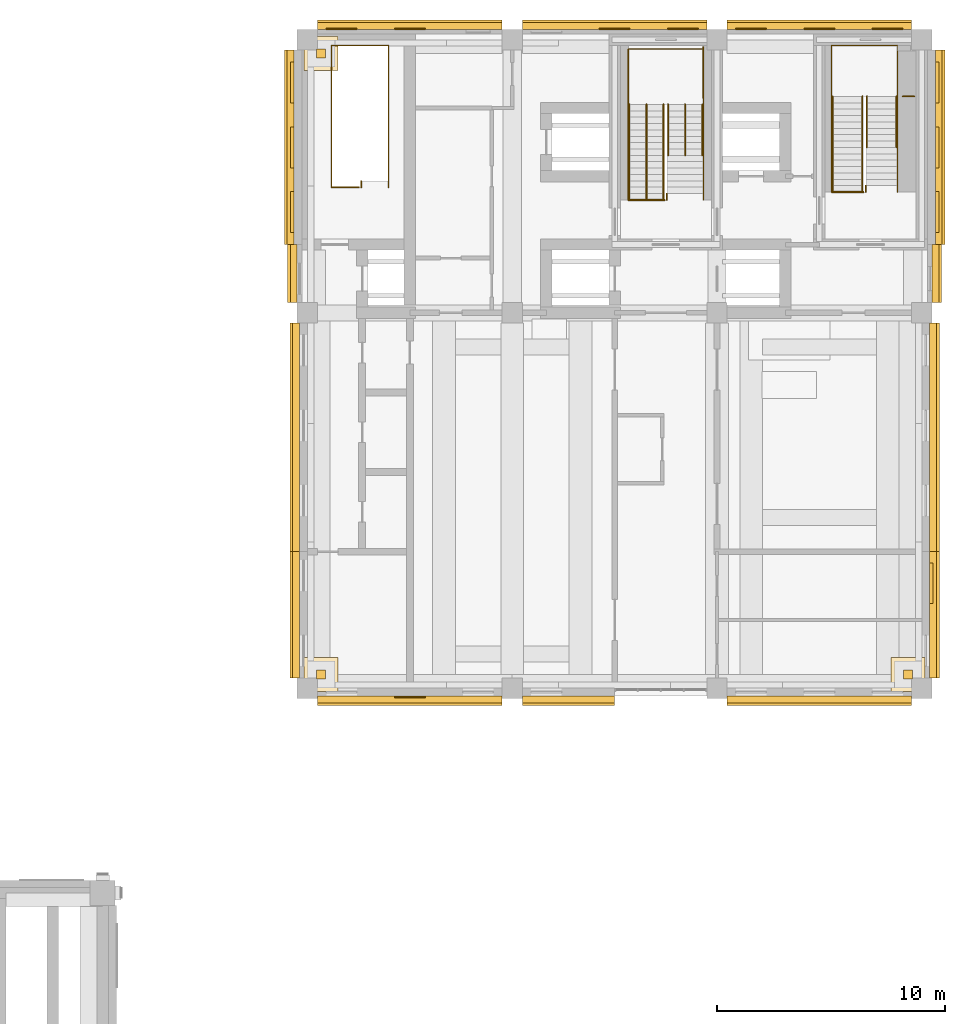
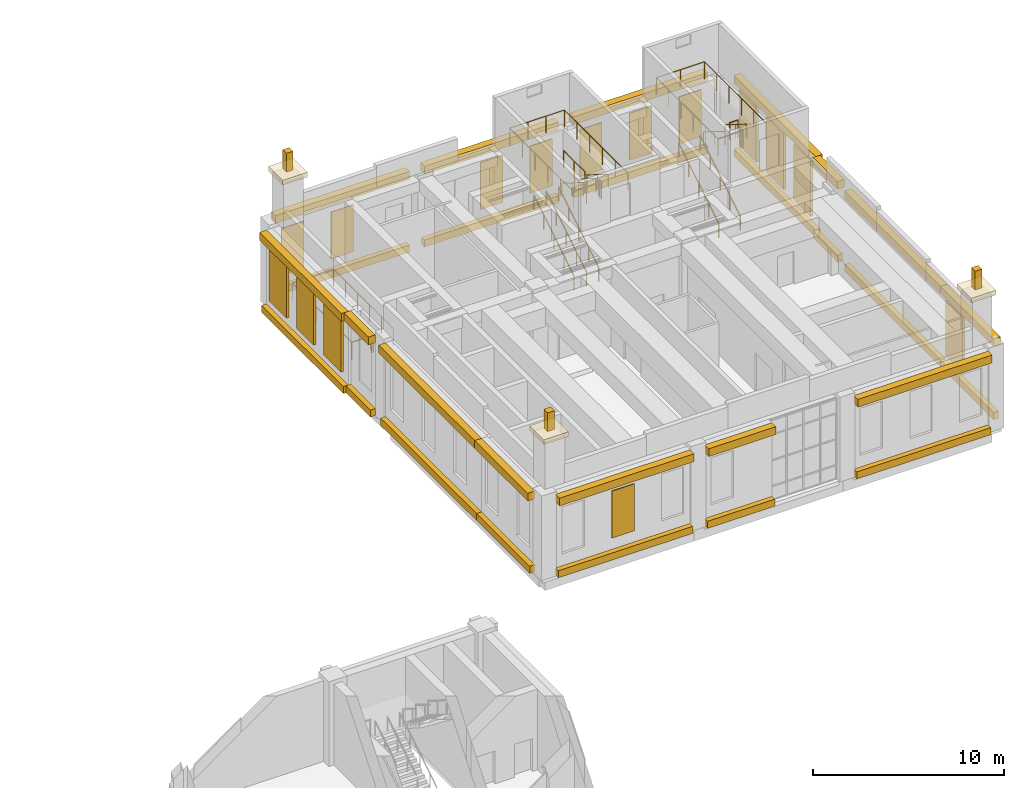
# One storey, part 21 of 22: 49 coverings, 21 railings.
"""IFC4 building model written with IfcOpenShell, lengths in metres."""

from ifc_helpers import new_model, si_unit, direction, frame, origin, origin_2d, place, context, subcontext, project, spatial, rectangle, circle, extrude, material, layer, layer_set, type_object, element, save


model = new_model("IFC4")

# Units and contexts
model_context = context("Model", 3, precision=1e-05, world=origin(), true_north=direction((0.0, 1.0)))
body_context = subcontext(model_context, "Body", "Model", "MODEL_VIEW")
ifc_project = project(units=[si_unit("LENGTHUNIT", "METRE"), si_unit("AREAUNIT", "SQUARE_METRE"), si_unit("VOLUMEUNIT", "CUBIC_METRE"), si_unit("PLANEANGLEUNIT", "RADIAN"), si_unit("MASSUNIT", "GRAM", prefix="KILO")], contexts=[model_context])

# Site, building, storey
site_placement = place(None, origin())
site = spatial("IfcSite", under=ifc_project, at=site_placement, CompositionType="ELEMENT")
building_placement = place(site_placement, origin())
building = spatial("IfcBuilding", under=site, at=building_placement, Name="Aurelan Courthouse", CompositionType="ELEMENT")
storey_placement = place(building_placement, frame((0.0, 0.0, 39.0)))
storey = spatial("IfcBuildingStorey", under=building, at=storey_placement, Name="L07", CompositionType="ELEMENT", Elevation=39.0)

# Coverings
ifc_material_1 = material(Name="Bronze sheet cladding")
ifc_layer_1 = layer(ifc_material_1, 0.06005859375)
ifc_layer_set_1 = layer_set([ifc_layer_1], Name="Bronze sheet cladding")
covering_type_1 = type_object("IfcCoveringType", Name="Courtroom Block blind bay 1350 x 3000", PredefinedType="CLADDING", material=ifc_layer_set_1)
for number, where, z_axis, x_axis, name in (
    (1, (40.5, 37.1201171875, 1.199951171875), (0.0, 0.0, 1.0), (1.0, 0.0, 0.0), "Blind bay BB-V2-L07-001"),
    (2, (37.5, 66.47998046875, 1.199951171875), (0.0, 0.0, 1.0), (1.0, 0.0, 0.0), "Blind bay BB-V2-L07-002"),
    (3, (40.5, 66.47998046875, 1.199951171875), (0.0, 0.0, 1.0), (1.0, 0.0, 0.0), "Blind bay BB-V2-L07-003"),
    (4, (49.5, 66.47998046875, 1.199951171875), (0.0, 0.0, 1.0), (1.0, 0.0, 0.0), "Blind bay BB-V2-L07-004"),
    (5, (52.5, 66.47998046875, 1.199951171875), (0.0, 0.0, 1.0), (1.0, 0.0, 0.0), "Blind bay BB-V2-L07-005"),
    (6, (55.5, 66.47998046875, 1.199951171875), (0.0, 0.0, 1.0), (1.0, 0.0, 0.0), "Blind bay BB-V2-L07-006"),
    (7, (58.5, 66.47998046875, 1.199951171875), (0.0, 0.0, 1.0), (1.0, 0.0, 0.0), "Blind bay BB-V2-L07-007"),
    (8, (61.5, 66.47998046875, 1.199951171875), (0.0, 0.0, 1.0), (1.0, 0.0, 0.0), "Blind bay BB-V2-L07-008"),
):
    element("IfcCovering", number, at=place(storey_placement, frame(where, z_axis=z_axis, x_axis=x_axis)), inside=storey, type_object=covering_type_1, Name=name, PredefinedType="CLADDING", context=body_context, shape_type="SweptSolid", body=[
        extrude(rectangle(XDim=1.35009765625, YDim=0.06005859375, at=origin_2d()), origin(), (0.0, 0.0, 1.0), 3.0),
    ])
ifc_material_2 = material(Name="Limestone cladding", Category="masonry")
covering_type_2 = type_object("IfcCoveringType", Name="Courtroom Block cornice 500 x 420", PredefinedType="CLADDING", material=ifc_material_2)
covering_1_placement = place(storey_placement, frame((40.5, 36.93994140625, 4.64990234375), z_axis=(0.0, 0.0, 1.0), x_axis=(1.0, 0.0, 0.0)))
element("IfcCovering", 9, at=covering_1_placement, inside=storey, type_object=covering_type_2, Name="Cornice CRN-V2-001", PredefinedType="CLADDING", context=body_context, shape_type="SweptSolid", body=[
    extrude(rectangle(XDim=8.10009765625, YDim=0.419921875, at=origin_2d()), origin(), (0.0, 0.0, 1.0), 0.5),
])
covering_2_placement = place(storey_placement, frame((47.47509765625, 36.93994140625, 4.64990234375), z_axis=(0.0, 0.0, 1.0), x_axis=(1.0, 0.0, 0.0)))
element("IfcCovering", 10, at=covering_2_placement, inside=storey, type_object=covering_type_2, Name="Cornice CRN-V2-002", PredefinedType="CLADDING", context=body_context, shape_type="SweptSolid", body=[
    extrude(rectangle(XDim=4.050048828125, YDim=0.419921875, at=origin_2d()), origin(), (0.0, 0.0, 1.0), 0.5),
])
covering_3_placement = place(storey_placement, frame((58.5, 36.93994140625, 4.64990234375), z_axis=(0.0, 0.0, 1.0), x_axis=(1.0, 0.0, 0.0)))
element("IfcCovering", 11, at=covering_3_placement, inside=storey, type_object=covering_type_2, Name="Cornice CRN-V2-003", PredefinedType="CLADDING", context=body_context, shape_type="SweptSolid", body=[
    extrude(rectangle(XDim=8.10009765625, YDim=0.419921875, at=origin_2d()), origin(), (0.0, 0.0, 1.0), 0.5),
])
for number, where, z_axis, x_axis, name in (
    (12, (35.43994140625, 40.72509765625, 4.64990234375), (0.0, 0.0, 1.0), (1.0, 0.0, 0.0), "Cornice CRN-V2-004"),
    (13, (63.56005859375, 40.72509765625, 4.64990234375), (0.0, 0.0, 1.0), (1.0, 0.0, 0.0), "Cornice CRN-V2-005"),
):
    element("IfcCovering", number, at=place(storey_placement, frame(where, z_axis=z_axis, x_axis=x_axis)), inside=storey, type_object=covering_type_2, Name=name, PredefinedType="CLADDING", context=body_context, shape_type="SweptSolid", body=[
        extrude(rectangle(XDim=0.419921875, YDim=5.550048828125, at=origin_2d()), origin(), (0.0, 0.0, 1.0), 0.5),
    ])
for number, where, z_axis, x_axis, name in (
    (14, (35.43994140625, 48.52490234375, 4.64990234375), (0.0, 0.0, 1.0), (1.0, 0.0, 0.0), "Cornice CRN-V2-006"),
    (15, (63.56005859375, 48.52490234375, 4.64990234375), (0.0, 0.0, 1.0), (1.0, 0.0, 0.0), "Cornice CRN-V2-007"),
):
    element("IfcCovering", number, at=place(storey_placement, frame(where, z_axis=z_axis, x_axis=x_axis)), inside=storey, type_object=covering_type_2, Name=name, PredefinedType="CLADDING", context=body_context, shape_type="SweptSolid", body=[
        extrude(rectangle(XDim=0.419921875, YDim=10.050048828125, at=origin_2d()), origin(), (0.0, 0.0, 1.0), 0.5),
    ])
for number, where, z_axis, x_axis, name in (
    (16, (35.340087890625, 55.72509765625, 4.64990234375), (0.0, 0.0, 1.0), (1.0, 0.0, 0.0), "Cornice CRN-V2-008"),
    (17, (63.659912109375, 55.72509765625, 4.64990234375), (0.0, 0.0, 1.0), (1.0, 0.0, 0.0), "Cornice CRN-V2-009"),
):
    element("IfcCovering", number, at=place(storey_placement, frame(where, z_axis=z_axis, x_axis=x_axis)), inside=storey, type_object=covering_type_2, Name=name, PredefinedType="CLADDING", context=body_context, shape_type="SweptSolid", body=[
        extrude(rectangle(XDim=0.419921875, YDim=2.550048828125, at=origin_2d()), origin(), (0.0, 0.0, 1.0), 0.5),
    ])
for number, where, z_axis, x_axis, name in (
    (18, (35.18994140625, 61.27490234375, 4.64990234375), (0.0, 0.0, 1.0), (1.0, 0.0, 0.0), "Cornice CRN-V2-010"),
    (19, (63.81005859375, 61.27490234375, 4.64990234375), (0.0, 0.0, 1.0), (1.0, 0.0, 0.0), "Cornice CRN-V2-011"),
):
    element("IfcCovering", number, at=place(storey_placement, frame(where, z_axis=z_axis, x_axis=x_axis)), inside=storey, type_object=covering_type_2, Name=name, PredefinedType="CLADDING", context=body_context, shape_type="SweptSolid", body=[
        extrude(rectangle(XDim=0.419921875, YDim=8.550048828125, at=origin_2d()), origin(), (0.0, 0.0, 1.0), 0.5),
    ])
for number, where, z_axis, x_axis, name in (
    (20, (40.5, 66.659912109375, 4.64990234375), (0.0, 0.0, 1.0), (1.0, 0.0, 0.0), "Cornice CRN-V2-012"),
    (21, (49.5, 66.659912109375, 4.64990234375), (0.0, 0.0, 1.0), (1.0, 0.0, 0.0), "Cornice CRN-V2-013"),
    (22, (58.5, 66.659912109375, 4.64990234375), (0.0, 0.0, 1.0), (1.0, 0.0, 0.0), "Cornice CRN-V2-014"),
):
    element("IfcCovering", number, at=place(storey_placement, frame(where, z_axis=z_axis, x_axis=x_axis)), inside=storey, type_object=covering_type_2, Name=name, PredefinedType="CLADDING", context=body_context, shape_type="SweptSolid", body=[
        extrude(rectangle(XDim=8.10009765625, YDim=0.419921875, at=origin_2d()), origin(), (0.0, 0.0, 1.0), 0.5),
    ])
covering_type_3 = type_object("IfcCoveringType", Name="Courtroom Block string course 450 x 300", PredefinedType="CLADDING", material=ifc_material_2)
covering_4_placement = place(storey_placement, frame((40.5, 37.0, 0.0), z_axis=(0.0, 0.0, 1.0), x_axis=(1.0, 0.0, 0.0)))
element("IfcCovering", 23, at=covering_4_placement, inside=storey, type_object=covering_type_3, Name="String course SC-V2-011", PredefinedType="CLADDING", context=body_context, shape_type="SweptSolid", body=[
    extrude(rectangle(XDim=8.10009765625, YDim=0.300048828125, at=origin_2d()), origin(), (0.0, 0.0, 1.0), 0.449951171875),
])
covering_5_placement = place(storey_placement, frame((47.47509765625, 37.0, 0.0), z_axis=(0.0, 0.0, 1.0), x_axis=(1.0, 0.0, 0.0)))
element("IfcCovering", 24, at=covering_5_placement, inside=storey, type_object=covering_type_3, Name="String course SC-V2-012", PredefinedType="CLADDING", context=body_context, shape_type="SweptSolid", body=[
    extrude(rectangle(XDim=4.050048828125, YDim=0.300048828125, at=origin_2d()), origin(), (0.0, 0.0, 1.0), 0.449951171875),
])
covering_6_placement = place(storey_placement, frame((58.5, 37.0, 0.0), z_axis=(0.0, 0.0, 1.0), x_axis=(1.0, 0.0, 0.0)))
element("IfcCovering", 25, at=covering_6_placement, inside=storey, type_object=covering_type_3, Name="String course SC-V2-013", PredefinedType="CLADDING", context=body_context, shape_type="SweptSolid", body=[
    extrude(rectangle(XDim=8.10009765625, YDim=0.300048828125, at=origin_2d()), origin(), (0.0, 0.0, 1.0), 0.449951171875),
])
for number, where, z_axis, x_axis, name in (
    (26, (35.5, 40.72509765625, 0.0), (0.0, 0.0, 1.0), (1.0, 0.0, 0.0), "String course SC-V2-014"),
    (27, (63.5, 40.72509765625, 0.0), (0.0, 0.0, 1.0), (1.0, 0.0, 0.0), "String course SC-V2-015"),
):
    element("IfcCovering", number, at=place(storey_placement, frame(where, z_axis=z_axis, x_axis=x_axis)), inside=storey, type_object=covering_type_3, Name=name, PredefinedType="CLADDING", context=body_context, shape_type="SweptSolid", body=[
        extrude(rectangle(XDim=0.300048828125, YDim=5.550048828125, at=origin_2d()), origin(), (0.0, 0.0, 1.0), 0.449951171875),
    ])
for number, where, z_axis, x_axis, name in (
    (28, (35.5, 48.52490234375, 0.0), (0.0, 0.0, 1.0), (1.0, 0.0, 0.0), "String course SC-V2-016"),
    (29, (63.5, 48.52490234375, 0.0), (0.0, 0.0, 1.0), (1.0, 0.0, 0.0), "String course SC-V2-017"),
):
    element("IfcCovering", number, at=place(storey_placement, frame(where, z_axis=z_axis, x_axis=x_axis)), inside=storey, type_object=covering_type_3, Name=name, PredefinedType="CLADDING", context=body_context, shape_type="SweptSolid", body=[
        extrude(rectangle(XDim=0.300048828125, YDim=10.050048828125, at=origin_2d()), origin(), (0.0, 0.0, 1.0), 0.449951171875),
    ])
for number, where, z_axis, x_axis, name in (
    (30, (35.39990234375, 55.72509765625, 0.0), (0.0, 0.0, 1.0), (1.0, 0.0, 0.0), "String course SC-V2-018"),
    (31, (63.60009765625, 55.72509765625, 0.0), (0.0, 0.0, 1.0), (1.0, 0.0, 0.0), "String course SC-V2-019"),
):
    element("IfcCovering", number, at=place(storey_placement, frame(where, z_axis=z_axis, x_axis=x_axis)), inside=storey, type_object=covering_type_3, Name=name, PredefinedType="CLADDING", context=body_context, shape_type="SweptSolid", body=[
        extrude(rectangle(XDim=0.300048828125, YDim=2.550048828125, at=origin_2d()), origin(), (0.0, 0.0, 1.0), 0.449951171875),
    ])
for number, where, z_axis, x_axis, name in (
    (32, (35.25, 61.27490234375, 0.0), (0.0, 0.0, 1.0), (1.0, 0.0, 0.0), "String course SC-V2-020"),
    (33, (63.75, 61.27490234375, 0.0), (0.0, 0.0, 1.0), (1.0, 0.0, 0.0), "String course SC-V2-021"),
):
    element("IfcCovering", number, at=place(storey_placement, frame(where, z_axis=z_axis, x_axis=x_axis)), inside=storey, type_object=covering_type_3, Name=name, PredefinedType="CLADDING", context=body_context, shape_type="SweptSolid", body=[
        extrude(rectangle(XDim=0.300048828125, YDim=8.550048828125, at=origin_2d()), origin(), (0.0, 0.0, 1.0), 0.449951171875),
    ])
for number, where, z_axis, x_axis, name in (
    (34, (40.5, 66.60009765625, 0.0), (0.0, 0.0, 1.0), (1.0, 0.0, 0.0), "String course SC-V2-022"),
    (35, (49.5, 66.60009765625, 0.0), (0.0, 0.0, 1.0), (1.0, 0.0, 0.0), "String course SC-V2-023"),
    (36, (58.5, 66.60009765625, 0.0), (0.0, 0.0, 1.0), (1.0, 0.0, 0.0), "String course SC-V2-024"),
):
    element("IfcCovering", number, at=place(storey_placement, frame(where, z_axis=z_axis, x_axis=x_axis)), inside=storey, type_object=covering_type_3, Name=name, PredefinedType="CLADDING", context=body_context, shape_type="SweptSolid", body=[
        extrude(rectangle(XDim=8.10009765625, YDim=0.300048828125, at=origin_2d()), origin(), (0.0, 0.0, 1.0), 0.449951171875),
    ])
ifc_material_3 = material(Name="Granite cladding", Category="masonry")
covering_type_4 = type_object("IfcCoveringType", Name="Crown cap 1500 x 300", PredefinedType="CLADDING", material=ifc_material_3)
for number, where, z_axis, x_axis, name in (
    (37, (36.60009765625, 38.10009765625, 8.39990234375), (0.0, 0.0, 1.0), (1.0, 0.0, 0.0), "Crown cap CR2-CAP-SW"),
    (38, (62.39990234375, 38.10009765625, 8.39990234375), (0.0, 0.0, 1.0), (1.0, 0.0, 0.0), "Crown cap CR2-CAP-SE"),
    (39, (36.60009765625, 65.39990234375, 8.39990234375), (0.0, 0.0, 1.0), (1.0, 0.0, 0.0), "Crown cap CR2-CAP-NW"),
):
    element("IfcCovering", number, at=place(storey_placement, frame(where, z_axis=z_axis, x_axis=x_axis)), inside=storey, type_object=covering_type_4, Name=name, PredefinedType="CLADDING", context=body_context, shape_type="SweptSolid", body=[
        extrude(rectangle(XDim=1.5, YDim=1.5, at=origin_2d()), origin(), (0.0, 0.0, 1.0), 0.300048828125),
    ])
ifc_material_4 = material(Name="Bronze-finished aluminium", Category="aluminium")
covering_type_5 = type_object("IfcCoveringType", Name="Crown finial 400 x 1200", PredefinedType="CLADDING", material=ifc_material_4)
for number, where, z_axis, x_axis, name in (
    (40, (36.60009765625, 38.10009765625, 8.7001953125), (0.0, 0.0, 1.0), (1.0, 0.0, 0.0), "Crown finial CR2-FIN-SW"),
    (41, (62.39990234375, 38.10009765625, 8.7001953125), (0.0, 0.0, 1.0), (1.0, 0.0, 0.0), "Crown finial CR2-FIN-SE"),
    (42, (36.60009765625, 65.39990234375, 8.7001953125), (0.0, 0.0, 1.0), (1.0, 0.0, 0.0), "Crown finial CR2-FIN-NW"),
):
    element("IfcCovering", number, at=place(storey_placement, frame(where, z_axis=z_axis, x_axis=x_axis)), inside=storey, type_object=covering_type_5, Name=name, PredefinedType="CLADDING", context=body_context, shape_type="SweptSolid", body=[
        extrude(rectangle(XDim=0.39990234375, YDim=0.39990234375, at=origin_2d()), origin(), (0.0, 0.0, 1.0), 1.199951171875),
    ])
ifc_layer_2 = layer(ifc_material_1, 0.14990234375)
ifc_layer_set_2 = layer_set([ifc_layer_2], Name="Bronze sheet cladding")
covering_type_6 = type_object("IfcCoveringType", Name="Relief panel 1800 x 3550 x 150", PredefinedType="CLADDING", material=ifc_layer_set_2)
for number, where, z_axis, x_axis, name in (
    (43, (63.425048828125, 42.112548828125, 1.0), (0.0, 0.0, 1.0), (1.0, 0.0, 0.0), "Relief panel RP-V2-043"),
    (44, (35.324951171875, 58.425048828125, 1.0), (0.0, 0.0, 1.0), (1.0, 0.0, 0.0), "Relief panel RP-V2-044"),
    (45, (35.324951171875, 61.27490234375, 1.0), (0.0, 0.0, 1.0), (1.0, 0.0, 0.0), "Relief panel RP-V2-045"),
    (46, (35.324951171875, 64.125, 1.0), (0.0, 0.0, 1.0), (1.0, 0.0, 0.0), "Relief panel RP-V2-046"),
    (47, (63.675048828125, 58.425048828125, 1.0), (0.0, 0.0, 1.0), (1.0, 0.0, 0.0), "Relief panel RP-V2-047"),
    (48, (63.675048828125, 61.27490234375, 1.0), (0.0, 0.0, 1.0), (1.0, 0.0, 0.0), "Relief panel RP-V2-048"),
    (49, (63.675048828125, 64.125, 1.0), (0.0, 0.0, 1.0), (1.0, 0.0, 0.0), "Relief panel RP-V2-049"),
):
    element("IfcCovering", number, at=place(storey_placement, frame(where, z_axis=z_axis, x_axis=x_axis)), inside=storey, type_object=covering_type_6, Name=name, PredefinedType="CLADDING", context=body_context, shape_type="SweptSolid", body=[
        extrude(rectangle(XDim=0.14990234375, YDim=1.800048828125, at=origin_2d()), origin(), (0.0, 0.0, 1.0), 3.550048828125),
    ])

# Railings
ifc_material_5 = material(Name="Steel S355", Category="steel")
railing_type_1 = type_object("IfcRailingType", Name="Stair guard 1100", PredefinedType="GUARDRAIL", material=ifc_material_5)
railing_1_placement = place(storey_placement, frame((38.260009765625, 59.510009765625, 0.0)))
element("IfcRailing", 50, at=railing_1_placement, inside=storey, type_object=railing_type_1, Name="Guard CS-2-L07-G1", PredefinedType="GUARDRAIL", context=body_context, shape_type="SweptSolid", body=[
    extrude(circle(Radius=0.02392578125, at=origin_2d()), frame((0.0, 0.0, 1.076171875), z_axis=(-1.0, 0.0, 0.0), x_axis=(0.0, -1.0, 0.0)), (0.0, 0.0, 1.0), 1.199951171875),
    extrude(circle(Radius=0.02099609375, at=origin_2d()), origin(), (0.0, 0.0, 1.0), 1.052001953125),
    extrude(circle(Radius=0.02099609375, at=origin_2d()), frame((-1.199951171875, 0.0, 0.0)), (0.0, 0.0, 1.0), 1.052001953125),
])
railing_2_placement = place(storey_placement, frame((37.06005859375, 59.510009765625, 0.0)))
element("IfcRailing", 51, at=railing_2_placement, inside=storey, type_object=railing_type_1, Name="Guard CS-2-L07-G2", PredefinedType="GUARDRAIL", context=body_context, shape_type="SweptSolid", body=[
    extrude(circle(Radius=0.02392578125, at=origin_2d()), frame((0.0, 0.0, 1.076171875), z_axis=(0.0, 1.0, 0.0), x_axis=(-1.0, 0.0, 0.0)), (0.0, 0.0, 1.0), 6.239990234375),
    extrude(circle(Radius=0.02392578125, at=origin_2d()), frame((0.0, 6.239990234375, 1.076171875), z_axis=(1.0, 0.0, 0.0), x_axis=(0.0, 1.0, 0.0)), (0.0, 0.0, 1.0), 2.5),
    extrude(circle(Radius=0.02392578125, at=origin_2d()), frame((2.5, 6.239990234375, 1.076171875), z_axis=(0.0, -1.0, 0.0), x_axis=(1.0, 0.0, 0.0)), (0.0, 0.0, 1.0), 6.239990234375),
    extrude(circle(Radius=0.02099609375, at=origin_2d()), origin(), (0.0, 0.0, 1.0), 1.052001953125),
    extrude(circle(Radius=0.02099609375, at=origin_2d()), frame((0.0, 1.248046875, 0.0)), (0.0, 0.0, 1.0), 1.052001953125),
    extrude(circle(Radius=0.02099609375, at=origin_2d()), frame((0.0, 2.49609375, 0.0)), (0.0, 0.0, 1.0), 1.052001953125),
    extrude(circle(Radius=0.02099609375, at=origin_2d()), frame((0.0, 3.743896484375, 0.0)), (0.0, 0.0, 1.0), 1.052001953125),
    extrude(circle(Radius=0.02099609375, at=origin_2d()), frame((0.0, 4.991943359375, 0.0)), (0.0, 0.0, 1.0), 1.052001953125),
    extrude(circle(Radius=0.02099609375, at=origin_2d()), frame((0.0, 6.239990234375, 0.0)), (0.0, 0.0, 1.0), 1.052001953125),
    extrude(circle(Radius=0.02099609375, at=origin_2d()), frame((1.25, 6.239990234375, 0.0)), (0.0, 0.0, 1.0), 1.052001953125),
    extrude(circle(Radius=0.02099609375, at=origin_2d()), frame((2.5, 6.239990234375, 0.0)), (0.0, 0.0, 1.0), 1.052001953125),
    extrude(circle(Radius=0.02099609375, at=origin_2d()), frame((2.5, 4.991943359375, 0.0)), (0.0, 0.0, 1.0), 1.052001953125),
    extrude(circle(Radius=0.02099609375, at=origin_2d()), frame((2.5, 3.743896484375, 0.0)), (0.0, 0.0, 1.0), 1.052001953125),
    extrude(circle(Radius=0.02099609375, at=origin_2d()), frame((2.5, 2.49609375, 0.0)), (0.0, 0.0, 1.0), 1.052001953125),
    extrude(circle(Radius=0.02099609375, at=origin_2d()), frame((2.5, 1.248046875, 0.0)), (0.0, 0.0, 1.0), 1.052001953125),
    extrude(circle(Radius=0.02099609375, at=origin_2d()), frame((2.5, 0.0, 0.0)), (0.0, 0.0, 1.0), 1.052001953125),
])
railing_3_placement = place(storey_placement, frame((38.360107421875, 59.510009765625, 0.0)))
element("IfcRailing", 52, at=railing_3_placement, inside=storey, type_object=railing_type_1, Name="Guard CS-2-L07-G3", PredefinedType="GUARDRAIL", context=body_context, shape_type="SweptSolid", body=[
    extrude(circle(Radius=0.02392578125, at=origin_2d()), frame((0.0, 0.0, 1.076171875), z_axis=(0.0, 1.0, 0.0), x_axis=(-1.0, 0.0, 0.0)), (0.0, 0.0, 1.0), 0.280029296875),
    extrude(circle(Radius=0.02099609375, at=origin_2d()), origin(), (0.0, 0.0, 1.0), 1.052001953125),
    extrude(circle(Radius=0.02099609375, at=origin_2d()), frame((0.0, 0.280029296875, 0.0)), (0.0, 0.0, 1.0), 1.052001953125),
])
railing_4_placement = place(storey_placement, frame((53.39990234375, 65.669921875, 2.787109375)))
element("IfcRailing", 53, at=railing_4_placement, inside=storey, type_object=railing_type_1, Name="Guard ST-2A-L07-GL1", PredefinedType="GUARDRAIL", context=body_context, shape_type="SweptSolid", body=[
    extrude(circle(Radius=0.02392578125, at=origin_2d()), frame((0.0, 0.0, 1.076171875), z_axis=(0.0, -1.0, 0.0), x_axis=(1.0, 0.0, 0.0)), (0.0, 0.0, 1.0), 2.234619140625),
    extrude(circle(Radius=0.02099609375, at=origin_2d()), origin(), (0.0, 0.0, 1.0), 1.052001953125),
    extrude(circle(Radius=0.02099609375, at=origin_2d()), frame((0.0, -1.1171875, 0.0)), (0.0, 0.0, 1.0), 1.052001953125),
    extrude(circle(Radius=0.02099609375, at=origin_2d()), frame((0.0, -2.234619140625, 0.0)), (0.0, 0.0, 1.0), 1.052001953125),
])
railing_5_placement = place(storey_placement, frame((51.699951171875, 58.9599609375, 5.39990234375)))
element("IfcRailing", 54, at=railing_5_placement, inside=storey, type_object=railing_type_1, Name="Guard ST-2A-L07-G1", PredefinedType="GUARDRAIL", context=body_context, shape_type="SweptSolid", body=[
    extrude(circle(Radius=0.02392578125, at=origin_2d()), frame((0.0, 0.0, 1.076171875), z_axis=(-1.0, 0.0, 0.0), x_axis=(0.0, -1.0, 0.0)), (0.0, 0.0, 1.0), 1.599853515625),
    extrude(circle(Radius=0.02099609375, at=origin_2d()), origin(), (0.0, 0.0, 1.0), 1.052001953125),
    extrude(circle(Radius=0.02099609375, at=origin_2d()), frame((-0.7998046875, 0.0, 0.0)), (0.0, 0.0, 1.0), 1.052001953125),
    extrude(circle(Radius=0.02099609375, at=origin_2d()), frame((-1.599853515625, 0.0, 0.0)), (0.0, 0.0, 1.0), 1.052001953125),
])
railing_6_placement = place(storey_placement, frame((50.10009765625, 58.9599609375, 5.39990234375)))
element("IfcRailing", 55, at=railing_6_placement, inside=storey, type_object=railing_type_1, Name="Guard ST-2A-L07-G2", PredefinedType="GUARDRAIL", context=body_context, shape_type="SweptSolid", body=[
    extrude(circle(Radius=0.02392578125, at=origin_2d()), frame((0.0, 0.0, 1.076171875), z_axis=(0.0, 1.0, 0.0), x_axis=(-1.0, 0.0, 0.0)), (0.0, 0.0, 1.0), 6.64013671875),
    extrude(circle(Radius=0.02392578125, at=origin_2d()), frame((0.0, 6.64013671875, 1.076171875), z_axis=(1.0, 0.0, 0.0), x_axis=(0.0, 1.0, 0.0)), (0.0, 0.0, 1.0), 3.2998046875),
    extrude(circle(Radius=0.02392578125, at=origin_2d()), frame((3.2998046875, 6.64013671875, 1.076171875), z_axis=(0.0, -1.0, 0.0), x_axis=(1.0, 0.0, 0.0)), (0.0, 0.0, 1.0), 6.64013671875),
    extrude(circle(Radius=0.02099609375, at=origin_2d()), origin(), (0.0, 0.0, 1.0), 1.052001953125),
    extrude(circle(Radius=0.02099609375, at=origin_2d()), frame((0.0, 1.328125, 0.0)), (0.0, 0.0, 1.0), 1.052001953125),
    extrude(circle(Radius=0.02099609375, at=origin_2d()), frame((0.0, 2.656005859375, 0.0)), (0.0, 0.0, 1.0), 1.052001953125),
    extrude(circle(Radius=0.02099609375, at=origin_2d()), frame((0.0, 3.984130859375, 0.0)), (0.0, 0.0, 1.0), 1.052001953125),
    extrude(circle(Radius=0.02099609375, at=origin_2d()), frame((0.0, 5.31201171875, 0.0)), (0.0, 0.0, 1.0), 1.052001953125),
    extrude(circle(Radius=0.02099609375, at=origin_2d()), frame((0.0, 6.64013671875, 0.0)), (0.0, 0.0, 1.0), 1.052001953125),
    extrude(circle(Radius=0.02099609375, at=origin_2d()), frame((1.099853515625, 6.64013671875, 0.0)), (0.0, 0.0, 1.0), 1.052001953125),
    extrude(circle(Radius=0.02099609375, at=origin_2d()), frame((2.199951171875, 6.64013671875, 0.0)), (0.0, 0.0, 1.0), 1.052001953125),
    extrude(circle(Radius=0.02099609375, at=origin_2d()), frame((3.2998046875, 6.64013671875, 0.0)), (0.0, 0.0, 1.0), 1.052001953125),
    extrude(circle(Radius=0.02099609375, at=origin_2d()), frame((3.2998046875, 5.31201171875, 0.0)), (0.0, 0.0, 1.0), 1.052001953125),
    extrude(circle(Radius=0.02099609375, at=origin_2d()), frame((3.2998046875, 3.984130859375, 0.0)), (0.0, 0.0, 1.0), 1.052001953125),
    extrude(circle(Radius=0.02099609375, at=origin_2d()), frame((3.2998046875, 2.656005859375, 0.0)), (0.0, 0.0, 1.0), 1.052001953125),
    extrude(circle(Radius=0.02099609375, at=origin_2d()), frame((3.2998046875, 1.328125, 0.0)), (0.0, 0.0, 1.0), 1.052001953125),
    extrude(circle(Radius=0.02099609375, at=origin_2d()), frame((3.2998046875, 0.0, 0.0)), (0.0, 0.0, 1.0), 1.052001953125),
])
railing_7_placement = place(storey_placement, frame((51.800048828125, 58.9599609375, 5.39990234375)))
element("IfcRailing", 56, at=railing_7_placement, inside=storey, type_object=railing_type_1, Name="Guard ST-2A-L07-G3", PredefinedType="GUARDRAIL", context=body_context, shape_type="SweptSolid", body=[
    extrude(circle(Radius=0.02392578125, at=origin_2d()), frame((0.0, 0.0, 1.076171875), z_axis=(0.0, 1.0, 0.0), x_axis=(-1.0, 0.0, 0.0)), (0.0, 0.0, 1.0), 0.280029296875),
    extrude(circle(Radius=0.02099609375, at=origin_2d()), origin(), (0.0, 0.0, 1.0), 1.052001953125),
    extrude(circle(Radius=0.02099609375, at=origin_2d()), frame((0.0, 0.280029296875, 0.0)), (0.0, 0.0, 1.0), 1.052001953125),
])
railing_8_placement = place(storey_placement, frame((62.669921875, 63.510009765625, 2.787109375)))
element("IfcRailing", 57, at=railing_8_placement, inside=storey, type_object=railing_type_1, Name="Guard ST-2E-L07-GL1", PredefinedType="GUARDRAIL", context=body_context, shape_type="SweptSolid", body=[
    extrude(circle(Radius=0.02392578125, at=origin_2d()), frame((0.0, 0.0, 1.076171875), z_axis=(-1.0, 0.0, 0.0), x_axis=(0.0, -1.0, 0.0)), (0.0, 0.0, 1.0), 0.5),
    extrude(circle(Radius=0.02099609375, at=origin_2d()), origin(), (0.0, 0.0, 1.0), 1.052001953125),
    extrude(circle(Radius=0.02099609375, at=origin_2d()), frame((-0.5, 0.0, 0.0)), (0.0, 0.0, 1.0), 1.052001953125),
])
railing_9_placement = place(storey_placement, frame((60.43994140625, 59.31005859375, 5.39990234375)))
element("IfcRailing", 58, at=railing_9_placement, inside=storey, type_object=railing_type_1, Name="Guard ST-2E-L07-G1", PredefinedType="GUARDRAIL", context=body_context, shape_type="SweptSolid", body=[
    extrude(circle(Radius=0.02392578125, at=origin_2d()), frame((0.0, 0.0, 1.076171875), z_axis=(-1.0, 0.0, 0.0), x_axis=(0.0, -1.0, 0.0)), (0.0, 0.0, 1.0), 1.39990234375),
    extrude(circle(Radius=0.02099609375, at=origin_2d()), origin(), (0.0, 0.0, 1.0), 1.052001953125),
    extrude(circle(Radius=0.02099609375, at=origin_2d()), frame((-1.39990234375, 0.0, 0.0)), (0.0, 0.0, 1.0), 1.052001953125),
])
railing_10_placement = place(storey_placement, frame((59.0400390625, 59.31005859375, 5.39990234375)))
element("IfcRailing", 59, at=railing_10_placement, inside=storey, type_object=railing_type_1, Name="Guard ST-2E-L07-G2", PredefinedType="GUARDRAIL", context=body_context, shape_type="SweptSolid", body=[
    extrude(circle(Radius=0.02392578125, at=origin_2d()), frame((0.0, 0.0, 1.076171875), z_axis=(0.0, 1.0, 0.0), x_axis=(-1.0, 0.0, 0.0)), (0.0, 0.0, 1.0), 6.43994140625),
    extrude(circle(Radius=0.02392578125, at=origin_2d()), frame((0.0, 6.43994140625, 1.076171875), z_axis=(1.0, 0.0, 0.0), x_axis=(0.0, 1.0, 0.0)), (0.0, 0.0, 1.0), 2.89990234375),
    extrude(circle(Radius=0.02392578125, at=origin_2d()), frame((2.89990234375, 6.43994140625, 1.076171875), z_axis=(0.0, -1.0, 0.0), x_axis=(1.0, 0.0, 0.0)), (0.0, 0.0, 1.0), 6.43994140625),
    extrude(circle(Radius=0.02099609375, at=origin_2d()), origin(), (0.0, 0.0, 1.0), 1.052001953125),
    extrude(circle(Radius=0.02099609375, at=origin_2d()), frame((0.0, 1.2880859375, 0.0)), (0.0, 0.0, 1.0), 1.052001953125),
    extrude(circle(Radius=0.02099609375, at=origin_2d()), frame((0.0, 2.575927734375, 0.0)), (0.0, 0.0, 1.0), 1.052001953125),
    extrude(circle(Radius=0.02099609375, at=origin_2d()), frame((0.0, 3.864013671875, 0.0)), (0.0, 0.0, 1.0), 1.052001953125),
    extrude(circle(Radius=0.02099609375, at=origin_2d()), frame((0.0, 5.15185546875, 0.0)), (0.0, 0.0, 1.0), 1.052001953125),
    extrude(circle(Radius=0.02099609375, at=origin_2d()), frame((0.0, 6.43994140625, 0.0)), (0.0, 0.0, 1.0), 1.052001953125),
    extrude(circle(Radius=0.02099609375, at=origin_2d()), frame((1.449951171875, 6.43994140625, 0.0)), (0.0, 0.0, 1.0), 1.052001953125),
    extrude(circle(Radius=0.02099609375, at=origin_2d()), frame((2.89990234375, 6.43994140625, 0.0)), (0.0, 0.0, 1.0), 1.052001953125),
    extrude(circle(Radius=0.02099609375, at=origin_2d()), frame((2.89990234375, 5.15185546875, 0.0)), (0.0, 0.0, 1.0), 1.052001953125),
    extrude(circle(Radius=0.02099609375, at=origin_2d()), frame((2.89990234375, 3.864013671875, 0.0)), (0.0, 0.0, 1.0), 1.052001953125),
    extrude(circle(Radius=0.02099609375, at=origin_2d()), frame((2.89990234375, 2.575927734375, 0.0)), (0.0, 0.0, 1.0), 1.052001953125),
    extrude(circle(Radius=0.02099609375, at=origin_2d()), frame((2.89990234375, 1.2880859375, 0.0)), (0.0, 0.0, 1.0), 1.052001953125),
    extrude(circle(Radius=0.02099609375, at=origin_2d()), frame((2.89990234375, 0.0, 0.0)), (0.0, 0.0, 1.0), 1.052001953125),
])
railing_11_placement = place(storey_placement, frame((60.5400390625, 59.31005859375, 5.39990234375)))
element("IfcRailing", 60, at=railing_11_placement, inside=storey, type_object=railing_type_1, Name="Guard ST-2E-L07-G3", PredefinedType="GUARDRAIL", context=body_context, shape_type="SweptSolid", body=[
    extrude(circle(Radius=0.02392578125, at=origin_2d()), frame((0.0, 0.0, 1.076171875), z_axis=(0.0, 1.0, 0.0), x_axis=(-1.0, 0.0, 0.0)), (0.0, 0.0, 1.0), 0.280029296875),
    extrude(circle(Radius=0.02099609375, at=origin_2d()), origin(), (0.0, 0.0, 1.0), 1.052001953125),
    extrude(circle(Radius=0.02099609375, at=origin_2d()), frame((0.0, 0.280029296875, 0.0)), (0.0, 0.0, 1.0), 1.052001953125),
])
railing_type_2 = type_object("IfcRailingType", Name="Stair handrail 900", PredefinedType="HANDRAIL", material=ifc_material_5)
for number, where, name in (
    (61, (50.14990234375, 58.9599609375, 0.17431640625), "Handrail ST-2A-L07-H1"),
    (62, (51.64990234375, 58.9599609375, 0.17431640625), "Handrail ST-2A-L07-H2"),
    (63, (50.89990234375, 58.9599609375, 0.17431640625), "Handrail ST-2A-L07-H3"),
):
    element("IfcRailing", number, at=place(storey_placement, frame(where)), inside=storey, type_object=railing_type_2, Name=name, PredefinedType="HANDRAIL", context=body_context, shape_type="SweptSolid", body=[
        extrude(circle(Radius=0.02392578125, at=origin_2d()), frame((0.0, 0.0, 0.8759765625), z_axis=(0.0, 0.849102848233, 0.528227558088), x_axis=(-1.0, 0.0, 0.0)), (0.0, 0.0, 1.0), 4.9462890625),
        extrude(circle(Radius=0.02099609375, at=origin_2d()), origin(), (0.0, 0.0, 1.0), 0.851806640625),
        extrude(circle(Radius=0.02099609375, at=origin_2d()), frame((0.0, 1.050048828125, 0.6533203125)), (0.0, 0.0, 1.0), 0.851806640625),
        extrude(circle(Radius=0.02099609375, at=origin_2d()), frame((0.0, 2.10009765625, 1.306396484375)), (0.0, 0.0, 1.0), 0.851806640625),
        extrude(circle(Radius=0.02099609375, at=origin_2d()), frame((0.0, 3.14990234375, 1.95947265625)), (0.0, 0.0, 1.0), 0.851806640625),
        extrude(circle(Radius=0.02099609375, at=origin_2d()), frame((0.0, 4.199951171875, 2.61279296875)), (0.0, 0.0, 1.0), 0.851806640625),
    ])
for number, where, name in (
    (64, (51.85009765625, 63.159912109375, 2.961181640625), "Handrail ST-2A-L07-H4"),
    (65, (53.35009765625, 63.159912109375, 2.961181640625), "Handrail ST-2A-L07-H5"),
    (66, (52.60009765625, 63.159912109375, 2.961181640625), "Handrail ST-2A-L07-H6"),
):
    element("IfcRailing", number, at=place(storey_placement, frame(where)), inside=storey, type_object=railing_type_2, Name=name, PredefinedType="HANDRAIL", context=body_context, shape_type="SweptSolid", body=[
        extrude(circle(Radius=0.02392578125, at=origin_2d()), frame((0.0, 0.0, 0.8759765625), z_axis=(0.0, -0.849093500799, 0.528242583385), x_axis=(1.0, 0.0, 0.0)), (0.0, 0.0, 1.0), 2.63818359375),
        extrude(circle(Radius=0.02099609375, at=origin_2d()), origin(), (0.0, 0.0, 1.0), 0.851806640625),
        extrude(circle(Radius=0.02099609375, at=origin_2d()), frame((0.0, -1.1201171875, 0.69677734375)), (0.0, 0.0, 1.0), 0.851806640625),
        extrude(circle(Radius=0.02099609375, at=origin_2d()), frame((0.0, -2.239990234375, 1.3935546875)), (0.0, 0.0, 1.0), 0.851806640625),
    ])
for number, where, name in (
    (67, (59.090087890625, 59.31005859375, 0.17431640625), "Handrail ST-2E-L07-H1"),
    (68, (60.389892578125, 59.31005859375, 0.17431640625), "Handrail ST-2E-L07-H2"),
):
    element("IfcRailing", number, at=place(storey_placement, frame(where)), inside=storey, type_object=railing_type_2, Name=name, PredefinedType="HANDRAIL", context=body_context, shape_type="SweptSolid", body=[
        extrude(circle(Radius=0.02392578125, at=origin_2d()), frame((0.0, 0.0, 0.8759765625), z_axis=(0.0, 0.849102848233, 0.528227558088), x_axis=(-1.0, 0.0, 0.0)), (0.0, 0.0, 1.0), 4.9462890625),
        extrude(circle(Radius=0.02099609375, at=origin_2d()), origin(), (0.0, 0.0, 1.0), 0.851806640625),
        extrude(circle(Radius=0.02099609375, at=origin_2d()), frame((0.0, 1.050048828125, 0.6533203125)), (0.0, 0.0, 1.0), 0.851806640625),
        extrude(circle(Radius=0.02099609375, at=origin_2d()), frame((0.0, 2.10009765625, 1.306396484375)), (0.0, 0.0, 1.0), 0.851806640625),
        extrude(circle(Radius=0.02099609375, at=origin_2d()), frame((0.0, 3.14990234375, 1.95947265625)), (0.0, 0.0, 1.0), 0.851806640625),
        extrude(circle(Radius=0.02099609375, at=origin_2d()), frame((0.0, 4.199951171875, 2.61279296875)), (0.0, 0.0, 1.0), 0.851806640625),
    ])
for number, where, name in (
    (69, (60.590087890625, 63.510009765625, 2.961181640625), "Handrail ST-2E-L07-H3"),
    (70, (61.889892578125, 63.510009765625, 2.961181640625), "Handrail ST-2E-L07-H4"),
):
    element("IfcRailing", number, at=place(storey_placement, frame(where)), inside=storey, type_object=railing_type_2, Name=name, PredefinedType="HANDRAIL", context=body_context, shape_type="SweptSolid", body=[
        extrude(circle(Radius=0.02392578125, at=origin_2d()), frame((0.0, 0.0, 0.8759765625), z_axis=(0.0, -0.849093500799, 0.528242583385), x_axis=(1.0, 0.0, 0.0)), (0.0, 0.0, 1.0), 2.63818359375),
        extrude(circle(Radius=0.02099609375, at=origin_2d()), origin(), (0.0, 0.0, 1.0), 0.851806640625),
        extrude(circle(Radius=0.02099609375, at=origin_2d()), frame((0.0, -1.1201171875, 0.69677734375)), (0.0, 0.0, 1.0), 0.851806640625),
        extrude(circle(Radius=0.02099609375, at=origin_2d()), frame((0.0, -2.239990234375, 1.3935546875)), (0.0, 0.0, 1.0), 0.851806640625),
    ])

save(model, "model.ifc")
